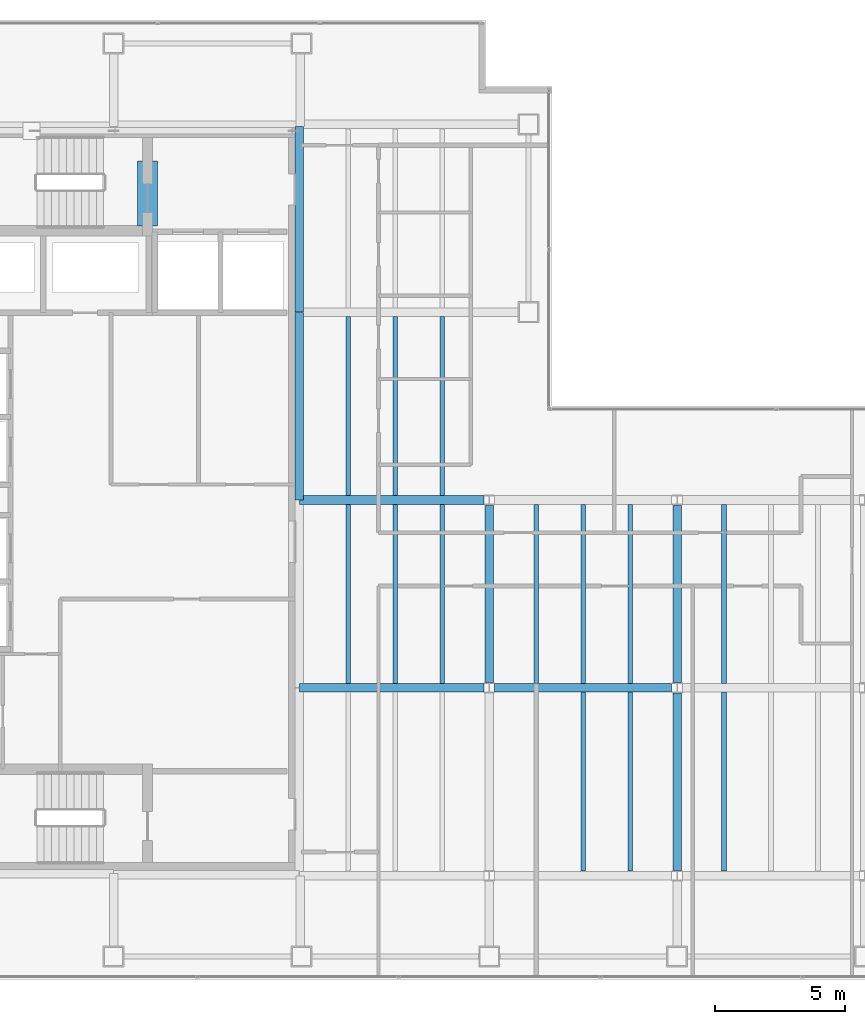
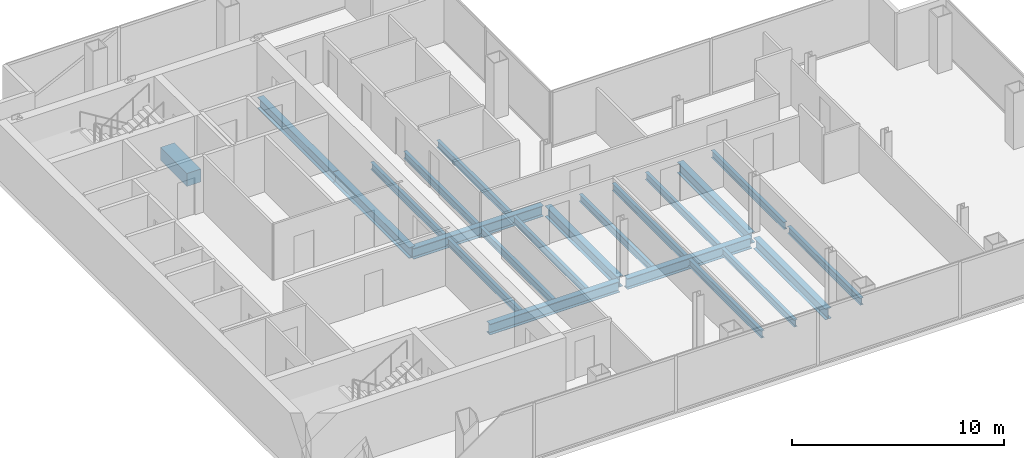
# One storey, part 7 of 23: 22 beams.
"""IFC4 building model written with IfcOpenShell, lengths in metres."""

from ifc_helpers import new_model, si_unit, direction, frame, origin, origin_2d, place, context, subcontext, project, spatial, rectangle, i_section, extrude, material, material_profile, profile_set, type_object, element, save


model = new_model("IFC4")

# Units and contexts
model_context = context("Model", 3, precision=1e-05, world=origin(), true_north=direction((0.0, 1.0)))
body_context = subcontext(model_context, "Body", "Model", "MODEL_VIEW")
ifc_project = project(units=[si_unit("LENGTHUNIT", "METRE"), si_unit("AREAUNIT", "SQUARE_METRE"), si_unit("VOLUMEUNIT", "CUBIC_METRE"), si_unit("PLANEANGLEUNIT", "RADIAN"), si_unit("MASSUNIT", "GRAM", prefix="KILO")], contexts=[model_context])

# Site, building, storey
site_placement = place(None, origin())
site = spatial("IfcSite", under=ifc_project, at=site_placement, CompositionType="ELEMENT")
building_placement = place(site_placement, origin())
building = spatial("IfcBuilding", under=site, at=building_placement, Name="Cobrela Telecom Tower", CompositionType="ELEMENT")
storey_placement = place(building_placement, frame((0.0, 0.0, 194.25)))
storey = spatial("IfcBuildingStorey", under=building, at=storey_placement, Name="L49", CompositionType="ELEMENT", Elevation=194.25)

# Beams
ifc_material_1 = material(Name="Concrete C40/50", Category="concrete")
ifc_material_profile_1 = material_profile(ifc_material_1, rectangle(XDim=0.75, YDim=0.75, at=origin_2d()), Name="RC 750x750")
ifc_profile_set_1 = profile_set([ifc_material_profile_1], Name="Concrete C40/50")
beam_type_1 = type_object("IfcBeamType", Name="BM-COUP-RC", PredefinedType="LINTEL", material=ifc_profile_set_1)
beam_1_placement = place(storey_placement, frame((8.5, 32.10009765625, -0.610107421875), z_axis=(0.0, 1.0, 0.0), x_axis=(-1.0, 0.0, 0.0)))
element("IfcBeam", 1, at=beam_1_placement, inside=storey, type_object=beam_type_1, Name="L49 Core Coupling Lintel Beam", PredefinedType="LINTEL", context=body_context, shape_type="SweptSolid", body=[
    extrude(rectangle(XDim=0.75, YDim=0.75, at=origin_2d()), origin(), (0.0, 0.0, 1.0), 2.5),
])
ifc_material_2 = material(Name="Steel ASTM A992 Grade 50", Category="steel")
ifc_material_profile_2 = material_profile(ifc_material_2, i_section(OverallWidth=0.327880859375, OverallDepth=0.6220703125, WebThickness=0.015380859375, FlangeThickness=0.0244140625, FilletRadius=0.014892578125, at=origin_2d()), Name="W24X131")
ifc_profile_set_2 = profile_set([ifc_material_profile_2], Name="Steel ASTM A992 Grade 50")
beam_type_2 = type_object("IfcBeamType", Name="BM-GIRD-06", PredefinedType="USERDEFINED", material=ifc_profile_set_2)
beam_2_placement = place(storey_placement, frame((14.324951171875, 14.39990234375, -0.571044921875), z_axis=(1.0, 0.0, 0.0), x_axis=(0.0, 1.0, 0.0)))
element("IfcBeam", 2, at=beam_2_placement, inside=storey, type_object=beam_type_2, Name="L49 Primary Girder X11", ObjectType="GIRDER", PredefinedType="USERDEFINED", context=body_context, shape_type="SweptSolid", body=[
    extrude(i_section(OverallWidth=0.327880859375, OverallDepth=0.6220703125, WebThickness=0.015380859375, FlangeThickness=0.0244140625, FilletRadius=0.014892578125, at=origin_2d()), origin(), (0.0, 0.0, 1.0), 7.070556640625),
])
beam_3_placement = place(storey_placement, frame((21.804443359375, 14.39990234375, -0.571044921875), z_axis=(1.0, 0.0, 0.0), x_axis=(0.0, 1.0, 0.0)))
element("IfcBeam", 3, at=beam_3_placement, inside=storey, type_object=beam_type_2, Name="L49 Primary Girder X12", ObjectType="GIRDER", PredefinedType="USERDEFINED", context=body_context, shape_type="SweptSolid", body=[
    extrude(i_section(OverallWidth=0.327880859375, OverallDepth=0.6220703125, WebThickness=0.015380859375, FlangeThickness=0.0244140625, FilletRadius=0.014892578125, at=origin_2d()), origin(), (0.0, 0.0, 1.0), 6.791015625),
])
beam_4_placement = place(storey_placement, frame((14.324951171875, 21.60009765625, -0.571044921875), z_axis=(1.0, 0.0, 0.0), x_axis=(0.0, 1.0, 0.0)))
element("IfcBeam", 4, at=beam_4_placement, inside=storey, type_object=beam_type_2, Name="L49 Primary Girder X15", ObjectType="GIRDER", PredefinedType="USERDEFINED", context=body_context, shape_type="SweptSolid", body=[
    extrude(i_section(OverallWidth=0.327880859375, OverallDepth=0.6220703125, WebThickness=0.015380859375, FlangeThickness=0.0244140625, FilletRadius=0.014892578125, at=origin_2d()), origin(), (0.0, 0.0, 1.0), 7.070556640625),
])
beam_5_placement = place(storey_placement, frame((14.320068359375, 21.60498046875, -0.571044921875), z_axis=(0.0, 1.0, 0.0), x_axis=(-1.0, 0.0, 0.0)))
element("IfcBeam", 5, at=beam_5_placement, inside=storey, type_object=beam_type_2, Name="L49 Primary Girder Y29", ObjectType="GIRDER", PredefinedType="USERDEFINED", context=body_context, shape_type="SweptSolid", body=[
    extrude(i_section(OverallWidth=0.327880859375, OverallDepth=0.6220703125, WebThickness=0.015380859375, FlangeThickness=0.0244140625, FilletRadius=0.014892578125, at=origin_2d()), origin(), (0.0, 0.0, 1.0), 7.18994140625),
])
beam_6_placement = place(storey_placement, frame((14.320068359375, 28.804931640625, -0.571044921875), z_axis=(0.0, 1.0, 0.0), x_axis=(-1.0, 0.0, 0.0)))
element("IfcBeam", 6, at=beam_6_placement, inside=storey, type_object=beam_type_2, Name="L49 Primary Girder Y30", ObjectType="GIRDER", PredefinedType="USERDEFINED", context=body_context, shape_type="SweptSolid", body=[
    extrude(i_section(OverallWidth=0.327880859375, OverallDepth=0.6220703125, WebThickness=0.015380859375, FlangeThickness=0.0244140625, FilletRadius=0.014892578125, at=origin_2d()), origin(), (0.0, 0.0, 1.0), 7.110107421875),
])
for number, where, z_axis, x_axis, name in (
    (7, (21.60009765625, 14.6044921875, -0.571044921875), (0.0, 1.0, 0.0), (-1.0, 0.0, 0.0), "L49 Primary Girder Y34"),
    (8, (28.800048828125, 7.404541015625, -0.571044921875), (0.0, 1.0, 0.0), (-1.0, 0.0, 0.0), "L49 Primary Girder Y37"),
    (9, (28.800048828125, 14.6044921875, -0.571044921875), (0.0, 1.0, 0.0), (-1.0, 0.0, 0.0), "L49 Primary Girder Y38"),
):
    element("IfcBeam", number, at=place(storey_placement, frame(where, z_axis=z_axis, x_axis=x_axis)), inside=storey, type_object=beam_type_2, Name=name, ObjectType="GIRDER", PredefinedType="USERDEFINED", context=body_context, shape_type="SweptSolid", body=[
        extrude(i_section(OverallWidth=0.327880859375, OverallDepth=0.6220703125, WebThickness=0.015380859375, FlangeThickness=0.0244140625, FilletRadius=0.014892578125, at=origin_2d()), origin(), (0.0, 0.0, 1.0), 6.791015625),
    ])
ifc_material_profile_3 = material_profile(ifc_material_2, i_section(OverallWidth=0.179931640625, OverallDepth=0.4169921875, WebThickness=0.010986328125, FlangeThickness=0.01806640625, FilletRadius=0.011962890625, at=origin_2d()), Name="W16X57")
ifc_profile_set_3 = profile_set([ifc_material_profile_3], Name="Steel ASTM A992 Grade 50")
beam_type_3 = type_object("IfcBeamType", Name="BM-JOIST-04", PredefinedType="JOIST", material=ifc_profile_set_3)
beam_7_placement = place(storey_placement, frame((16.199951171875, 14.569091796875, -0.468505859375), z_axis=(0.0, 1.0, 0.0), x_axis=(-1.0, 0.0, 0.0)))
element("IfcBeam", 10, at=beam_7_placement, inside=storey, type_object=beam_type_3, Name="L49 Secondary Composite Floor Beam J02", PredefinedType="JOIST", context=body_context, shape_type="SweptSolid", body=[
    extrude(i_section(OverallWidth=0.179931640625, OverallDepth=0.4169921875, WebThickness=0.010986328125, FlangeThickness=0.01806640625, FilletRadius=0.011962890625, at=origin_2d()), origin(), (0.0, 0.0, 1.0), 6.86181640625),
])
beam_8_placement = place(storey_placement, frame((16.199951171875, 21.76904296875, -0.468505859375), z_axis=(0.0, 1.0, 0.0), x_axis=(-1.0, 0.0, 0.0)))
element("IfcBeam", 11, at=beam_8_placement, inside=storey, type_object=beam_type_3, Name="L49 Secondary Composite Floor Beam J03", PredefinedType="JOIST", context=body_context, shape_type="SweptSolid", body=[
    extrude(i_section(OverallWidth=0.179931640625, OverallDepth=0.4169921875, WebThickness=0.010986328125, FlangeThickness=0.01806640625, FilletRadius=0.011962890625, at=origin_2d()), origin(), (0.0, 0.0, 1.0), 6.862060546875),
])
beam_9_placement = place(storey_placement, frame((18.0, 14.569091796875, -0.468505859375), z_axis=(0.0, 1.0, 0.0), x_axis=(-1.0, 0.0, 0.0)))
element("IfcBeam", 12, at=beam_9_placement, inside=storey, type_object=beam_type_3, Name="L49 Secondary Composite Floor Beam J06", PredefinedType="JOIST", context=body_context, shape_type="SweptSolid", body=[
    extrude(i_section(OverallWidth=0.179931640625, OverallDepth=0.4169921875, WebThickness=0.010986328125, FlangeThickness=0.01806640625, FilletRadius=0.011962890625, at=origin_2d()), origin(), (0.0, 0.0, 1.0), 6.86181640625),
])
beam_10_placement = place(storey_placement, frame((18.0, 21.76904296875, -0.468505859375), z_axis=(0.0, 1.0, 0.0), x_axis=(-1.0, 0.0, 0.0)))
element("IfcBeam", 13, at=beam_10_placement, inside=storey, type_object=beam_type_3, Name="L49 Secondary Composite Floor Beam J07", PredefinedType="JOIST", context=body_context, shape_type="SweptSolid", body=[
    extrude(i_section(OverallWidth=0.179931640625, OverallDepth=0.4169921875, WebThickness=0.010986328125, FlangeThickness=0.01806640625, FilletRadius=0.011962890625, at=origin_2d()), origin(), (0.0, 0.0, 1.0), 6.862060546875),
])
beam_11_placement = place(storey_placement, frame((19.800048828125, 14.569091796875, -0.468505859375), z_axis=(0.0, 1.0, 0.0), x_axis=(-1.0, 0.0, 0.0)))
element("IfcBeam", 14, at=beam_11_placement, inside=storey, type_object=beam_type_3, Name="L49 Secondary Composite Floor Beam J10", PredefinedType="JOIST", context=body_context, shape_type="SweptSolid", body=[
    extrude(i_section(OverallWidth=0.179931640625, OverallDepth=0.4169921875, WebThickness=0.010986328125, FlangeThickness=0.01806640625, FilletRadius=0.011962890625, at=origin_2d()), origin(), (0.0, 0.0, 1.0), 6.86181640625),
])
beam_12_placement = place(storey_placement, frame((19.800048828125, 21.76904296875, -0.468505859375), z_axis=(0.0, 1.0, 0.0), x_axis=(-1.0, 0.0, 0.0)))
element("IfcBeam", 15, at=beam_12_placement, inside=storey, type_object=beam_type_3, Name="L49 Secondary Composite Floor Beam J11", PredefinedType="JOIST", context=body_context, shape_type="SweptSolid", body=[
    extrude(i_section(OverallWidth=0.179931640625, OverallDepth=0.4169921875, WebThickness=0.010986328125, FlangeThickness=0.01806640625, FilletRadius=0.011962890625, at=origin_2d()), origin(), (0.0, 0.0, 1.0), 6.862060546875),
])
beam_13_placement = place(storey_placement, frame((23.39990234375, 14.569091796875, -0.468505859375), z_axis=(0.0, 1.0, 0.0), x_axis=(-1.0, 0.0, 0.0)))
element("IfcBeam", 16, at=beam_13_placement, inside=storey, type_object=beam_type_3, Name="L49 Secondary Composite Floor Beam J14", PredefinedType="JOIST", context=body_context, shape_type="SweptSolid", body=[
    extrude(i_section(OverallWidth=0.179931640625, OverallDepth=0.4169921875, WebThickness=0.010986328125, FlangeThickness=0.01806640625, FilletRadius=0.011962890625, at=origin_2d()), origin(), (0.0, 0.0, 1.0), 6.86181640625),
])
beam_14_placement = place(storey_placement, frame((25.199951171875, 7.368896484375, -0.468505859375), z_axis=(0.0, 1.0, 0.0), x_axis=(-1.0, 0.0, 0.0)))
element("IfcBeam", 17, at=beam_14_placement, inside=storey, type_object=beam_type_3, Name="L49 Secondary Composite Floor Beam J15", PredefinedType="JOIST", context=body_context, shape_type="SweptSolid", body=[
    extrude(i_section(OverallWidth=0.179931640625, OverallDepth=0.4169921875, WebThickness=0.010986328125, FlangeThickness=0.01806640625, FilletRadius=0.011962890625, at=origin_2d()), origin(), (0.0, 0.0, 1.0), 6.862060546875),
])
beam_15_placement = place(storey_placement, frame((25.199951171875, 14.569091796875, -0.468505859375), z_axis=(0.0, 1.0, 0.0), x_axis=(-1.0, 0.0, 0.0)))
element("IfcBeam", 18, at=beam_15_placement, inside=storey, type_object=beam_type_3, Name="L49 Secondary Composite Floor Beam J16", PredefinedType="JOIST", context=body_context, shape_type="SweptSolid", body=[
    extrude(i_section(OverallWidth=0.179931640625, OverallDepth=0.4169921875, WebThickness=0.010986328125, FlangeThickness=0.01806640625, FilletRadius=0.011962890625, at=origin_2d()), origin(), (0.0, 0.0, 1.0), 6.86181640625),
])
beam_16_placement = place(storey_placement, frame((27.0, 7.368896484375, -0.468505859375), z_axis=(0.0, 1.0, 0.0), x_axis=(-1.0, 0.0, 0.0)))
element("IfcBeam", 19, at=beam_16_placement, inside=storey, type_object=beam_type_3, Name="L49 Secondary Composite Floor Beam J17", PredefinedType="JOIST", context=body_context, shape_type="SweptSolid", body=[
    extrude(i_section(OverallWidth=0.179931640625, OverallDepth=0.4169921875, WebThickness=0.010986328125, FlangeThickness=0.01806640625, FilletRadius=0.011962890625, at=origin_2d()), origin(), (0.0, 0.0, 1.0), 6.862060546875),
])
beam_17_placement = place(storey_placement, frame((27.0, 14.569091796875, -0.468505859375), z_axis=(0.0, 1.0, 0.0), x_axis=(-1.0, 0.0, 0.0)))
element("IfcBeam", 20, at=beam_17_placement, inside=storey, type_object=beam_type_3, Name="L49 Secondary Composite Floor Beam J18", PredefinedType="JOIST", context=body_context, shape_type="SweptSolid", body=[
    extrude(i_section(OverallWidth=0.179931640625, OverallDepth=0.4169921875, WebThickness=0.010986328125, FlangeThickness=0.01806640625, FilletRadius=0.011962890625, at=origin_2d()), origin(), (0.0, 0.0, 1.0), 6.86181640625),
])
beam_18_placement = place(storey_placement, frame((30.60009765625, 7.368896484375, -0.468505859375), z_axis=(0.0, 1.0, 0.0), x_axis=(-1.0, 0.0, 0.0)))
element("IfcBeam", 21, at=beam_18_placement, inside=storey, type_object=beam_type_3, Name="L49 Secondary Composite Floor Beam J19", PredefinedType="JOIST", context=body_context, shape_type="SweptSolid", body=[
    extrude(i_section(OverallWidth=0.179931640625, OverallDepth=0.4169921875, WebThickness=0.010986328125, FlangeThickness=0.01806640625, FilletRadius=0.011962890625, at=origin_2d()), origin(), (0.0, 0.0, 1.0), 6.862060546875),
])
beam_19_placement = place(storey_placement, frame((30.60009765625, 14.569091796875, -0.468505859375), z_axis=(0.0, 1.0, 0.0), x_axis=(-1.0, 0.0, 0.0)))
element("IfcBeam", 22, at=beam_19_placement, inside=storey, type_object=beam_type_3, Name="L49 Secondary Composite Floor Beam J20", PredefinedType="JOIST", context=body_context, shape_type="SweptSolid", body=[
    extrude(i_section(OverallWidth=0.179931640625, OverallDepth=0.4169921875, WebThickness=0.010986328125, FlangeThickness=0.01806640625, FilletRadius=0.011962890625, at=origin_2d()), origin(), (0.0, 0.0, 1.0), 6.86181640625),
])

save(model, "model.ifc")
